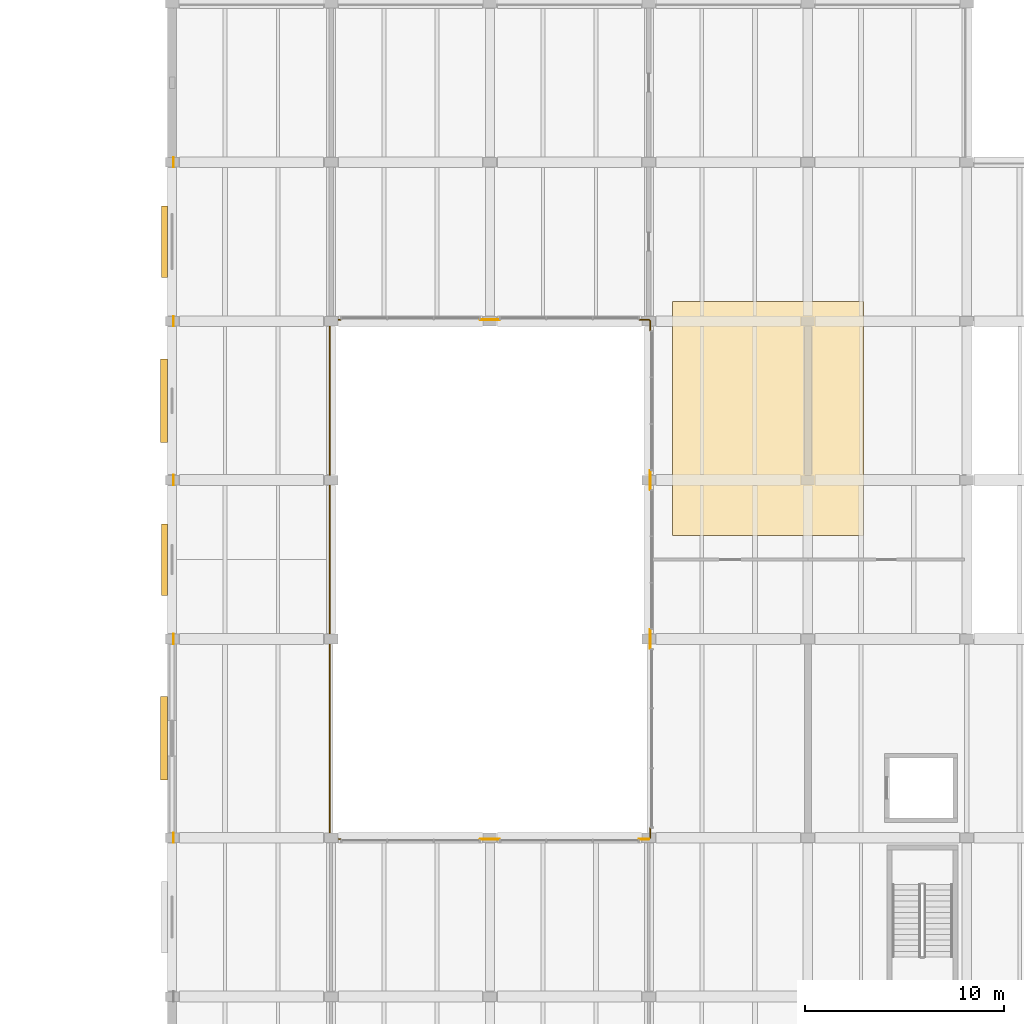
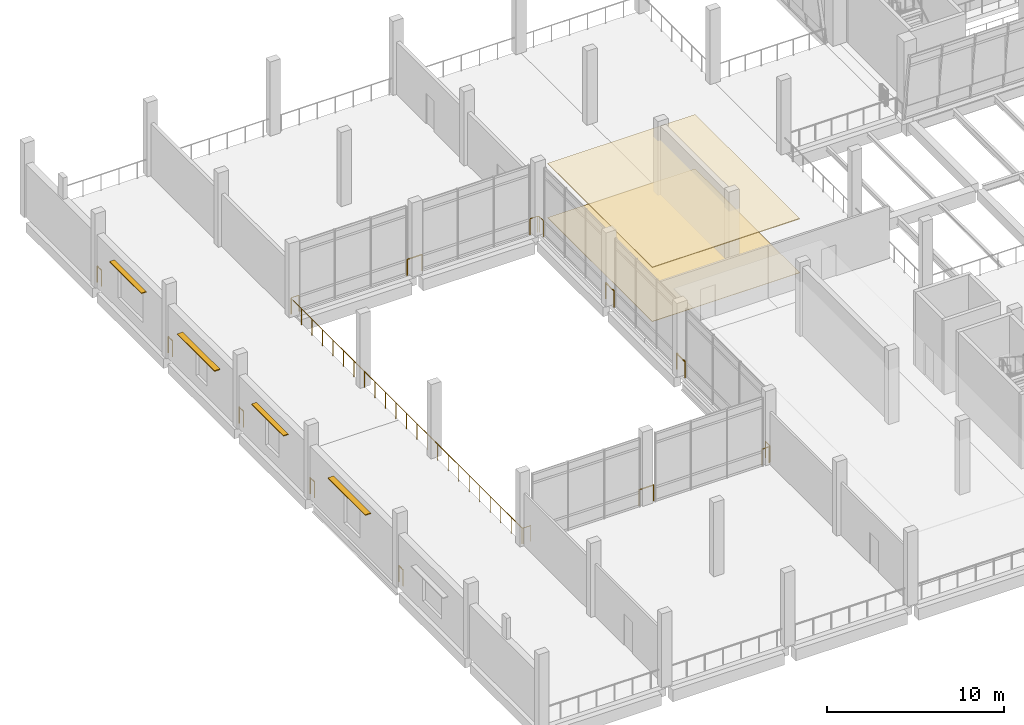
# One storey, part 50 of 61: 13 railings, 4 shading devices, 2 coverings.
"""IFC4 building model written with IfcOpenShell, lengths in metres."""

from ifc_helpers import new_model, si_unit, direction, frame, origin, origin_2d, place, context, subcontext, project, spatial, polyline, rectangle, circle, outline, extrude, material, layer, layer_set, type_object, element, save


model = new_model("IFC4")

# Units and contexts
model_context = context("Model", 3, precision=1e-05, world=origin(), true_north=direction((0.0, 1.0)))
body_context = subcontext(model_context, "Body", "Model", "MODEL_VIEW")
ifc_project = project(units=[si_unit("LENGTHUNIT", "METRE"), si_unit("AREAUNIT", "SQUARE_METRE"), si_unit("VOLUMEUNIT", "CUBIC_METRE"), si_unit("PLANEANGLEUNIT", "RADIAN"), si_unit("MASSUNIT", "GRAM", prefix="KILO")], contexts=[model_context])

# Site, building, storey
site_placement = place(None, origin())
site = spatial("IfcSite", under=ifc_project, at=site_placement, CompositionType="ELEMENT")
building_placement = place(site_placement, origin())
building = spatial("IfcBuilding", under=site, at=building_placement, Name="Pecanmere Concourse Central Library", CompositionType="ELEMENT")
storey_placement = place(building_placement, frame((0.0, 0.0, 5.39990234375)))
storey = spatial("IfcBuildingStorey", under=building, at=storey_placement, Name="L02", CompositionType="ELEMENT", Elevation=5.39990234375)

# Coverings
ifc_material_1 = material(Name="Solid white oak architectural joinery")
ifc_layer_1 = layer(ifc_material_1, 0.054931640625, Name="COV_CEIL_OAK_COFF")
ifc_layer_set_1 = layer_set([ifc_layer_1], Name="Solid white oak architectural joinery")
covering_type_1 = type_object("IfcCoveringType", Name="COV_CEIL_OAK_COFF", PredefinedType="CEILING", material=ifc_layer_set_1)
covering_1_placement = place(storey_placement, frame((0.0, 0.0, 3.710205078125)))
element("IfcCovering", 1, at=covering_1_placement, inside=storey, type_object=covering_type_1, Name="Acoustic Coffered Ceiling L02-009", PredefinedType="CEILING", context=body_context, shape_type="SweptSolid", body=[
    extrude(outline(polyline([(49.199951171875, 79.199951171875), (58.800048828125, 79.199951171875), (58.800048828125, 91.0), (49.199951171875, 91.0), (49.199951171875, 79.199951171875)])), origin(), (0.0, 0.0, 1.0), 0.054931640625),
])
ifc_material_2 = material(Name="Solid white oak architectural joinery")
ifc_layer_2 = layer(ifc_material_2, 0.02490234375, Name="COV_FLR_OAK")
ifc_layer_set_2 = layer_set([ifc_layer_2], Name="Solid white oak architectural joinery")
covering_type_2 = type_object("IfcCoveringType", Name="COV_FLR_OAK", PredefinedType="FLOORING", material=ifc_layer_set_2)
covering_2_placement = place(storey_placement, origin())
element("IfcCovering", 2, at=covering_2_placement, inside=storey, type_object=covering_type_2, Name="Finished Flooring L02-009", PredefinedType="FLOORING", context=body_context, shape_type="SweptSolid", body=[
    extrude(outline(polyline([(49.199951171875, 79.199951171875), (58.800048828125, 79.199951171875), (58.800048828125, 91.0), (49.199951171875, 91.0), (49.199951171875, 79.199951171875)])), origin(), (0.0, 0.0, 1.0), 0.025146484375),
])

# Railings
ifc_material_3 = material(Name="Architectural anodized bronze")
railing_type = type_object("IfcRailingType", Name="RAIL_ATRIUM_BAL", PredefinedType="BALUSTRADE", material=ifc_material_3)
for number, where, name in (
    (3, (24.070068359375, 63.764892578125, 0.0), "Deck Edge Protective Balustrade L02-043"),
    (4, (24.070068359375, 73.764892578125, 0.0), "Deck Edge Protective Balustrade L02-044"),
    (5, (24.070068359375, 81.764892578125, 0.0), "Deck Edge Protective Balustrade L02-045"),
    (6, (24.070068359375, 89.764892578125, 0.0), "Deck Edge Protective Balustrade L02-046"),
    (7, (24.070068359375, 97.764892578125, 0.0), "Deck Edge Protective Balustrade L02-047"),
):
    element("IfcRailing", number, at=place(storey_placement, frame(where)), inside=storey, type_object=railing_type, Name=name, PredefinedType="BALUSTRADE", context=body_context, shape_type="SweptSolid", body=[
        extrude(circle(Radius=0.02392578125, at=origin_2d()), frame((0.0, 0.0, 1.09619140625), z_axis=(0.0, 1.0, 0.0), x_axis=(-1.0, 0.0, 0.0)), (0.0, 0.0, 1.0), 0.47021484375),
        extrude(circle(Radius=0.02099609375, at=origin_2d()), origin(), (0.0, 0.0, 1.0), 1.072021484375),
        extrude(circle(Radius=0.02099609375, at=origin_2d()), frame((0.0, 0.47021484375, 0.0)), (0.0, 0.0, 1.0), 1.072021484375),
    ])
railing_1_placement = place(storey_placement, frame((47.996826171875, 63.930419921875, 0.0)))
element("IfcRailing", 8, at=railing_1_placement, inside=storey, type_object=railing_type, Name="Deck Edge Protective Balustrade L02-069", PredefinedType="BALUSTRADE", context=body_context, shape_type="SweptSolid", body=[
    extrude(circle(Radius=0.02392578125, at=origin_2d()), frame((0.0, 0.0, 1.09619140625), z_axis=(0.806311430369, 0.591491231767, 0.0), x_axis=(-0.591491231767, 0.806311430369, 0.0)), (0.0, 0.0, 1.0), 0.0830078125),
    extrude(circle(Radius=0.02392578125, at=origin_2d()), frame((0.06689453125, 0.049072265625, 1.09619140625), z_axis=(0.012681906886, 0.999919581385, 0.0), x_axis=(-0.999919581385, 0.012681906886, 0.0)), (0.0, 0.0, 1.0), 0.50048828125),
    extrude(circle(Radius=0.02099609375, at=origin_2d()), origin(), (0.0, 0.0, 1.0), 1.072021484375),
    extrude(circle(Radius=0.02099609375, at=origin_2d()), frame((0.06689453125, 0.049072265625, 0.0)), (0.0, 0.0, 1.0), 1.072021484375),
    extrude(circle(Radius=0.02099609375, at=origin_2d()), frame((0.0732421875, 0.549560546875, 0.0)), (0.0, 0.0, 1.0), 1.072021484375),
])
for number, where, name in (
    (9, (48.070068359375, 73.52001953125, 0.0), "Deck Edge Protective Balustrade L02-070"),
    (10, (48.070068359375, 81.52001953125, 0.0), "Deck Edge Protective Balustrade L02-071"),
):
    element("IfcRailing", number, at=place(storey_placement, frame(where)), inside=storey, type_object=railing_type, Name=name, PredefinedType="BALUSTRADE", context=body_context, shape_type="SweptSolid", body=[
        extrude(circle(Radius=0.02392578125, at=origin_2d()), frame((0.0, 0.0, 1.09619140625), z_axis=(0.0, 1.0, 0.0), x_axis=(-1.0, 0.0, 0.0)), (0.0, 0.0, 1.0), 0.9599609375),
        extrude(circle(Radius=0.02099609375, at=origin_2d()), origin(), (0.0, 0.0, 1.0), 1.072021484375),
        extrude(circle(Radius=0.02099609375, at=origin_2d()), frame((0.0, 0.9599609375, 0.0)), (0.0, 0.0, 1.0), 1.072021484375),
    ])
railing_2_placement = place(storey_placement, frame((48.070068359375, 89.52001953125, 0.0)))
element("IfcRailing", 11, at=railing_2_placement, inside=storey, type_object=railing_type, Name="Deck Edge Protective Balustrade L02-072", PredefinedType="BALUSTRADE", context=body_context, shape_type="SweptSolid", body=[
    extrude(circle(Radius=0.02392578125, at=origin_2d()), frame((0.0, 0.0, 1.09619140625), z_axis=(-0.001024065003, 0.999999475645, 0.0), x_axis=(-0.999999475645, -0.001024065003, 0.0)), (0.0, 0.0, 1.0), 0.476806640625),
    extrude(circle(Radius=0.02392578125, at=origin_2d()), frame((-0.00048828125, 0.476806640625, 1.09619140625), z_axis=(-0.591491231767, 0.806311430369, 0.0), x_axis=(-0.806311430369, -0.591491231767, 0.0)), (0.0, 0.0, 1.0), 0.0830078125),
    extrude(circle(Radius=0.02392578125, at=origin_2d()), frame((-0.049560546875, 0.543701171875, 1.09619140625), z_axis=(-0.999919581385, 0.012681906886, 0.0), x_axis=(-0.012681906886, -0.999919581385, 0.0)), (0.0, 0.0, 1.0), 0.50048828125),
    extrude(circle(Radius=0.02099609375, at=origin_2d()), origin(), (0.0, 0.0, 1.0), 1.072021484375),
    extrude(circle(Radius=0.02099609375, at=origin_2d()), frame((-0.00048828125, 0.476806640625, 0.0)), (0.0, 0.0, 1.0), 1.072021484375),
    extrude(circle(Radius=0.02099609375, at=origin_2d()), frame((-0.049560546875, 0.543701171875, 0.0)), (0.0, 0.0, 1.0), 1.072021484375),
    extrude(circle(Radius=0.02099609375, at=origin_2d()), frame((-0.550048828125, 0.550048828125, 0.0)), (0.0, 0.0, 1.0), 1.072021484375),
])
railing_3_placement = place(storey_placement, frame((40.47998046875, 90.070068359375, 0.0)))
element("IfcRailing", 12, at=railing_3_placement, inside=storey, type_object=railing_type, Name="Deck Edge Protective Balustrade L02-073", PredefinedType="BALUSTRADE", context=body_context, shape_type="SweptSolid", body=[
    extrude(circle(Radius=0.02392578125, at=origin_2d()), frame((0.0, 0.0, 1.09619140625), z_axis=(-1.0, 0.0, 0.0), x_axis=(0.0, -1.0, 0.0)), (0.0, 0.0, 1.0), 0.9599609375),
    extrude(circle(Radius=0.02099609375, at=origin_2d()), origin(), (0.0, 0.0, 1.0), 1.072021484375),
    extrude(circle(Radius=0.02099609375, at=origin_2d()), frame((-0.9599609375, 0.0, 0.0)), (0.0, 0.0, 1.0), 1.072021484375),
])
railing_4_placement = place(storey_placement, frame((32.47998046875, 90.070068359375, 0.0)))
element("IfcRailing", 13, at=railing_4_placement, inside=storey, type_object=railing_type, Name="Deck Edge Protective Balustrade L02-074", PredefinedType="BALUSTRADE", context=body_context, shape_type="SweptSolid", body=[
    extrude(circle(Radius=0.02392578125, at=origin_2d()), frame((0.0, 0.0, 1.09619140625), z_axis=(-0.999999475645, -0.001024065003, 0.0), x_axis=(0.001024065003, -0.999999475645, 0.0)), (0.0, 0.0, 1.0), 0.476806640625),
    extrude(circle(Radius=0.02392578125, at=origin_2d()), frame((-0.476806640625, -0.00048828125, 1.09619140625), z_axis=(-0.806311430369, -0.591491231767, 0.0), x_axis=(0.591491231767, -0.806311430369, 0.0)), (0.0, 0.0, 1.0), 0.0830078125),
    extrude(circle(Radius=0.02392578125, at=origin_2d()), frame((-0.543701171875, -0.049560546875, 1.09619140625), z_axis=(-0.000225210425, -0.99999997464, 0.0), x_axis=(0.99999997464, -0.000225210425, 0.0)), (0.0, 0.0, 1.0), 26.017333984375),
    extrude(circle(Radius=0.02392578125, at=origin_2d()), frame((-0.549560546875, -26.06689453125, 1.09619140625), z_axis=(0.591491231767, -0.806311430369, 0.0), x_axis=(0.806311430369, 0.591491231767, 0.0)), (0.0, 0.0, 1.0), 0.0830078125),
    extrude(circle(Radius=0.02392578125, at=origin_2d()), frame((-0.50048828125, -26.1337890625, 1.09619140625), z_axis=(0.999919581385, -0.012681906886, 0.0), x_axis=(0.012681906886, 0.999919581385, 0.0)), (0.0, 0.0, 1.0), 0.50048828125),
    extrude(circle(Radius=0.02099609375, at=origin_2d()), origin(), (0.0, 0.0, 1.0), 1.072021484375),
    extrude(circle(Radius=0.02099609375, at=origin_2d()), frame((-0.476806640625, -0.00048828125, 0.0)), (0.0, 0.0, 1.0), 1.072021484375),
    extrude(circle(Radius=0.02099609375, at=origin_2d()), frame((-0.543701171875, -0.049560546875, 0.0)), (0.0, 0.0, 1.0), 1.072021484375),
    extrude(circle(Radius=0.02099609375, at=origin_2d()), frame((-0.5439453125, -1.232177734375, 0.0)), (0.0, 0.0, 1.0), 1.072021484375),
    extrude(circle(Radius=0.02099609375, at=origin_2d()), frame((-0.544189453125, -2.414794921875, 0.0)), (0.0, 0.0, 1.0), 1.072021484375),
    extrude(circle(Radius=0.02099609375, at=origin_2d()), frame((-0.54443359375, -3.597412109375, 0.0)), (0.0, 0.0, 1.0), 1.072021484375),
    extrude(circle(Radius=0.02099609375, at=origin_2d()), frame((-0.544677734375, -4.780029296875, 0.0)), (0.0, 0.0, 1.0), 1.072021484375),
    extrude(circle(Radius=0.02099609375, at=origin_2d()), frame((-0.544921875, -5.962646484375, 0.0)), (0.0, 0.0, 1.0), 1.072021484375),
    extrude(circle(Radius=0.02099609375, at=origin_2d()), frame((-0.54541015625, -7.145263671875, 0.0)), (0.0, 0.0, 1.0), 1.072021484375),
    extrude(circle(Radius=0.02099609375, at=origin_2d()), frame((-0.545654296875, -8.327880859375, 0.0)), (0.0, 0.0, 1.0), 1.072021484375),
    extrude(circle(Radius=0.02099609375, at=origin_2d()), frame((-0.5458984375, -9.510498046875, 0.0)), (0.0, 0.0, 1.0), 1.072021484375),
    extrude(circle(Radius=0.02099609375, at=origin_2d()), frame((-0.546142578125, -10.693115234375, 0.0)), (0.0, 0.0, 1.0), 1.072021484375),
    extrude(circle(Radius=0.02099609375, at=origin_2d()), frame((-0.54638671875, -11.875732421875, 0.0)), (0.0, 0.0, 1.0), 1.072021484375),
    extrude(circle(Radius=0.02099609375, at=origin_2d()), frame((-0.546630859375, -13.05810546875, 0.0)), (0.0, 0.0, 1.0), 1.072021484375),
    extrude(circle(Radius=0.02099609375, at=origin_2d()), frame((-0.546875, -14.24072265625, 0.0)), (0.0, 0.0, 1.0), 1.072021484375),
    extrude(circle(Radius=0.02099609375, at=origin_2d()), frame((-0.547119140625, -15.42333984375, 0.0)), (0.0, 0.0, 1.0), 1.072021484375),
    extrude(circle(Radius=0.02099609375, at=origin_2d()), frame((-0.54736328125, -16.60595703125, 0.0)), (0.0, 0.0, 1.0), 1.072021484375),
    extrude(circle(Radius=0.02099609375, at=origin_2d()), frame((-0.547607421875, -17.78857421875, 0.0)), (0.0, 0.0, 1.0), 1.072021484375),
    extrude(circle(Radius=0.02099609375, at=origin_2d()), frame((-0.5478515625, -18.97119140625, 0.0)), (0.0, 0.0, 1.0), 1.072021484375),
    extrude(circle(Radius=0.02099609375, at=origin_2d()), frame((-0.54833984375, -20.15380859375, 0.0)), (0.0, 0.0, 1.0), 1.072021484375),
    extrude(circle(Radius=0.02099609375, at=origin_2d()), frame((-0.548583984375, -21.33642578125, 0.0)), (0.0, 0.0, 1.0), 1.072021484375),
    extrude(circle(Radius=0.02099609375, at=origin_2d()), frame((-0.548828125, -22.51904296875, 0.0)), (0.0, 0.0, 1.0), 1.072021484375),
    extrude(circle(Radius=0.02099609375, at=origin_2d()), frame((-0.549072265625, -23.70166015625, 0.0)), (0.0, 0.0, 1.0), 1.072021484375),
    extrude(circle(Radius=0.02099609375, at=origin_2d()), frame((-0.54931640625, -24.88427734375, 0.0)), (0.0, 0.0, 1.0), 1.072021484375),
    extrude(circle(Radius=0.02099609375, at=origin_2d()), frame((-0.549560546875, -26.06689453125, 0.0)), (0.0, 0.0, 1.0), 1.072021484375),
    extrude(circle(Radius=0.02099609375, at=origin_2d()), frame((-0.50048828125, -26.1337890625, 0.0)), (0.0, 0.0, 1.0), 1.072021484375),
    extrude(circle(Radius=0.02099609375, at=origin_2d()), frame((0.0, -26.14013671875, 0.0)), (0.0, 0.0, 1.0), 1.072021484375),
])
railing_5_placement = place(storey_placement, frame((39.52001953125, 63.929931640625, 0.0)))
element("IfcRailing", 14, at=railing_5_placement, inside=storey, type_object=railing_type, Name="Deck Edge Protective Balustrade L02-075", PredefinedType="BALUSTRADE", context=body_context, shape_type="SweptSolid", body=[
    extrude(circle(Radius=0.02392578125, at=origin_2d()), frame((0.0, 0.0, 1.09619140625), z_axis=(1.0, 0.0, 0.0), x_axis=(0.0, 1.0, 0.0)), (0.0, 0.0, 1.0), 0.9599609375),
    extrude(circle(Radius=0.02099609375, at=origin_2d()), origin(), (0.0, 0.0, 1.0), 1.072021484375),
    extrude(circle(Radius=0.02099609375, at=origin_2d()), frame((0.9599609375, 0.0, 0.0)), (0.0, 0.0, 1.0), 1.072021484375),
])
railing_6_placement = place(storey_placement, frame((47.52001953125, 63.929931640625, 0.0)))
element("IfcRailing", 15, at=railing_6_placement, inside=storey, type_object=railing_type, Name="Deck Edge Protective Balustrade L02-076", PredefinedType="BALUSTRADE", context=body_context, shape_type="SweptSolid", body=[
    extrude(circle(Radius=0.02392578125, at=origin_2d()), frame((0.0, 0.0, 1.09619140625), z_axis=(0.999999475645, 0.001024065003, 0.0), x_axis=(-0.001024065003, 0.999999475645, 0.0)), (0.0, 0.0, 1.0), 0.476806640625),
    extrude(circle(Radius=0.02099609375, at=origin_2d()), origin(), (0.0, 0.0, 1.0), 1.072021484375),
    extrude(circle(Radius=0.02099609375, at=origin_2d()), frame((0.476806640625, 0.00048828125, 0.0)), (0.0, 0.0, 1.0), 1.072021484375),
])

# Shading devices
ifc_material_4 = material(Name="Architectural anodized bronze")
shading_device_type_1 = type_object("IfcShadingDeviceType", Name="SHD_BRISE_1", PredefinedType="AWNING", material=ifc_material_4)
for number, where, z_axis, x_axis, name in (
    (16, (23.60009765625, 69.0, 3.150146484375), (0.0, 0.0, 1.0), (0.0, -1.0, 0.0), "Bronze Solar Brise-Soleil L02-048"),
    (17, (23.60009765625, 86.0, 2.75), (0.0, 0.0, 1.0), (0.0, -1.0, 0.0), "Bronze Solar Brise-Soleil L02-050"),
):
    element("IfcShadingDevice", number, at=place(storey_placement, frame(where, z_axis=z_axis, x_axis=x_axis)), inside=storey, type_object=shading_device_type_1, Name=name, PredefinedType="AWNING", context=body_context, shape_type="SweptSolid", body=[
        extrude(rectangle(XDim=4.199951171875, YDim=0.360107421875, at=origin_2d()), origin(), (0.0, 0.0, 1.0), 0.06005859375),
    ])
ifc_material_5 = material(Name="Architectural anodized bronze")
shading_device_type_2 = type_object("IfcShadingDeviceType", Name="SHD_BRISE_2", PredefinedType="AWNING", material=ifc_material_5)
for number, where, z_axis, x_axis, name in (
    (18, (23.6201171875, 78.0, 2.95263671875), (0.0, 0.0, 1.0), (0.0, -1.0, 0.0), "Bronze Solar Brise-Soleil L02-049"),
    (19, (23.6201171875, 94.0, 3.052734375), (0.0, 0.0, 1.0), (0.0, -1.0, 0.0), "Bronze Solar Brise-Soleil L02-051"),
):
    element("IfcShadingDevice", number, at=place(storey_placement, frame(where, z_axis=z_axis, x_axis=x_axis)), inside=storey, type_object=shading_device_type_2, Name=name, PredefinedType="AWNING", context=body_context, shape_type="SweptSolid", body=[
        extrude(rectangle(XDim=3.60009765625, YDim=0.320068359375, at=origin_2d()), origin(), (0.0, 0.0, 1.0), 0.054931640625),
    ])

save(model, "model.ifc")
